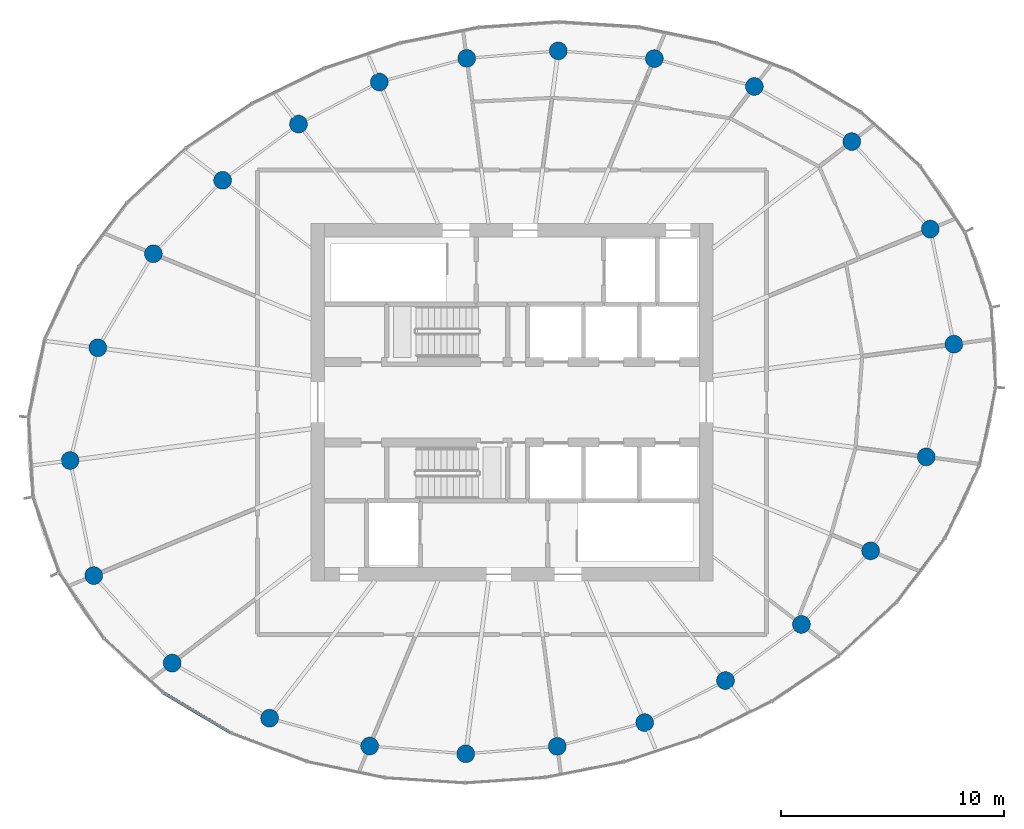
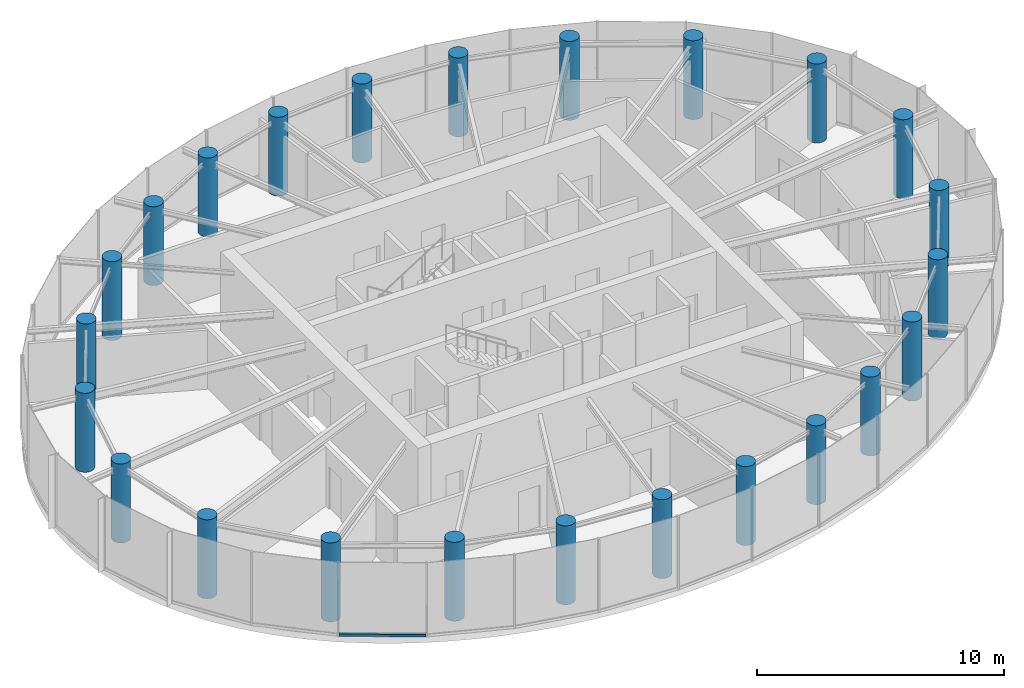
# One storey, part 1 of 13: 24 columns, 1 member, 1 element without a shape of its own.
"""IFC4 building model written with IfcOpenShell, lengths in metres."""

from ifc_helpers import new_model, si_unit, direction, frame, origin, origin_2d, place, context, subcontext, project, spatial, rectangle, circle, extrude, source, transform, mapped, material, layer, layer_set, material_profile, profile_set, type_object, element, aggregate, save


model = new_model("IFC4")

# Units and contexts
model_context = context("Model", 3, precision=1e-05, world=origin(), true_north=direction((0.0, 1.0)))
body_context = subcontext(model_context, "Body", "Model", "MODEL_VIEW")
ifc_project = project(units=[si_unit("LENGTHUNIT", "METRE"), si_unit("AREAUNIT", "SQUARE_METRE"), si_unit("VOLUMEUNIT", "CUBIC_METRE"), si_unit("PLANEANGLEUNIT", "RADIAN"), si_unit("MASSUNIT", "GRAM", prefix="KILO")], contexts=[model_context])

# Site, building, storey
site_placement = place(None, origin())
site = spatial("IfcSite", under=ifc_project, at=site_placement, CompositionType="ELEMENT")
building_placement = place(site_placement, origin())
building = spatial("IfcBuilding", under=site, at=building_placement, Name="Spindrift Exchange Tower", CompositionType="ELEMENT")
storey_placement = place(building_placement, frame((0.0, 0.0, 265.699951171875)))
storey = spatial("IfcBuildingStorey", under=building, at=storey_placement, Name="L65", CompositionType="ELEMENT", Elevation=265.699951171875)

# Columns
ifc_material_1 = material(Name="Concrete 40 MPa", Category="concrete")
ifc_material_profile_1 = material_profile(ifc_material_1, circle(Radius=0.39990234375, at=origin_2d()), Name="RC D800")
ifc_profile_set_1 = profile_set([ifc_material_profile_1], Name="Concrete 40 MPa")
column_type = type_object("IfcColumnType", Name="RC Perimeter Column D800 Concrete 40 MPa", PredefinedType="COLUMN", material=ifc_profile_set_1)
shared_shape_1 = source(origin(), body_context, "Body", "SweptSolid", [
    extrude(circle(Radius=0.39990234375, at=origin_2d()), origin(), (0.0, 0.0, 1.0), 3.900146484375),
])
for number, where, z_axis, x_axis, name in (
    (1, (71.77734375, 50.603759765625, 0.0), (0.0, 0.0, 1.0), (1.0, 0.0, 0.0), "Perimeter column P5-01 L65"),
    (2, (70.719482421875, 55.75390625, 0.0), (0.0, 0.0, 1.0), (1.0, 0.0, 0.0), "Perimeter column P5-02 L65"),
    (3, (67.20947265625, 59.670654296875, 0.0), (0.0, 0.0, 1.0), (1.0, 0.0, 0.0), "Perimeter column P5-03 L65"),
    (4, (62.846923828125, 62.135986328125, 0.0), (0.0, 0.0, 1.0), (1.0, 0.0, 0.0), "Perimeter column P5-04 L65"),
    (5, (58.37158203125, 63.382568359375, 0.0), (0.0, 0.0, 1.0), (1.0, 0.0, 0.0), "Perimeter column P5-05 L65"),
    (6, (54.071044921875, 63.731201171875, 0.0), (0.0, 0.0, 1.0), (1.0, 0.0, 0.0), "Perimeter column P5-06 L65"),
    (7, (49.97314453125, 63.39599609375, 0.0), (0.0, 0.0, 1.0), (1.0, 0.0, 0.0), "Perimeter column P5-07 L65"),
    (8, (46.062744140625, 62.333984375, 0.0), (0.0, 0.0, 1.0), (1.0, 0.0, 0.0), "Perimeter column P5-08 L65"),
    (9, (42.4443359375, 60.453369140625, 0.0), (0.0, 0.0, 1.0), (1.0, 0.0, 0.0), "Perimeter column P5-09 L65"),
    (10, (39.046875, 57.939208984375, 0.0), (0.0, 0.0, 1.0), (1.0, 0.0, 0.0), "Perimeter column P5-10 L65"),
    (11, (35.948486328125, 54.648681640625, 0.0), (0.0, 0.0, 1.0), (1.0, 0.0, 0.0), "Perimeter column P5-11 L65"),
    (12, (33.4599609375, 50.44091796875, 0.0), (0.0, 0.0, 1.0), (1.0, 0.0, 0.0), "Perimeter column P5-12 L65"),
    (13, (32.22265625, 45.396240234375, 0.0), (0.0, 0.0, 1.0), (1.0, 0.0, 0.0), "Perimeter column P5-13 L65"),
    (14, (33.280517578125, 40.24609375, 0.0), (0.0, 0.0, 1.0), (1.0, 0.0, 0.0), "Perimeter column P5-14 L65"),
    (15, (36.79052734375, 36.329345703125, 0.0), (0.0, 0.0, 1.0), (1.0, 0.0, 0.0), "Perimeter column P5-15 L65"),
    (16, (41.153076171875, 33.864013671875, 0.0), (0.0, 0.0, 1.0), (1.0, 0.0, 0.0), "Perimeter column P5-16 L65"),
    (17, (45.62841796875, 32.617431640625, 0.0), (0.0, 0.0, 1.0), (1.0, 0.0, 0.0), "Perimeter column P5-17 L65"),
    (18, (49.928955078125, 32.268798828125, 0.0), (0.0, 0.0, 1.0), (1.0, 0.0, 0.0), "Perimeter column P5-18 L65"),
    (19, (54.02685546875, 32.60400390625, 0.0), (0.0, 0.0, 1.0), (1.0, 0.0, 0.0), "Perimeter column P5-19 L65"),
    (20, (57.937255859375, 33.666015625, 0.0), (0.0, 0.0, 1.0), (1.0, 0.0, 0.0), "Perimeter column P5-20 L65"),
    (21, (61.5556640625, 35.546630859375, 0.0), (0.0, 0.0, 1.0), (1.0, 0.0, 0.0), "Perimeter column P5-21 L65"),
    (22, (64.953125, 38.060791015625, 0.0), (0.0, 0.0, 1.0), (1.0, 0.0, 0.0), "Perimeter column P5-22 L65"),
    (23, (68.051513671875, 41.351318359375, 0.0), (0.0, 0.0, 1.0), (1.0, 0.0, 0.0), "Perimeter column P5-23 L65"),
    (24, (70.5400390625, 45.55908203125, 0.0), (0.0, 0.0, 1.0), (1.0, 0.0, 0.0), "Perimeter column P5-24 L65"),
):
    element("IfcColumn", number, at=place(storey_placement, frame(where, z_axis=z_axis, x_axis=x_axis)), inside=storey, type_object=column_type, Name=name, PredefinedType="COLUMN", context=body_context, shape_type="MappedRepresentation", body=[
        mapped(shared_shape_1, transform((0.0, 0.0, 0.0), scale=1.0)),
    ])

# Curtain wall, member
ifc_material_2 = material(Name="Fritted laminated glass with bronze frame", Category="glass")
ifc_layer = layer(ifc_material_2, 0.159912109375)
ifc_layer_set = layer_set([ifc_layer], Name="ZONE 5 BRONZE FRITTED WALL")
curtain_wall_type = type_object("IfcCurtainWallType", Name="ZONE 5 BRONZE FRITTED WALL", PredefinedType="NOTDEFINED", material=ifc_layer_set)
curtain_wall_placement = place(storey_placement, origin())
curtain_wall = element("IfcCurtainWall", 25, at=curtain_wall_placement, inside=storey, type_object=curtain_wall_type, Name="L65 Zone 5 Bronze Fritted Wall run 4", PredefinedType="NOTDEFINED")
ifc_material_3 = material(Name="Bronze anodised aluminium", Category="aluminium")
ifc_material_profile_2 = material_profile(ifc_material_3, rectangle(XDim=0.139892578125, YDim=0.1201171875, at=origin_2d()), Name="ZONE 5 BRONZE FRITTED WALL TRANSOM 140X120")
ifc_profile_set_2 = profile_set([ifc_material_profile_2], Name="Bronze anodised aluminium")
member_type = type_object("IfcMemberType", Name="ZONE 5 BRONZE FRITTED WALL TRANSOM 140X120", PredefinedType="USERDEFINED", material=ifc_profile_set_2)
shared_shape_2 = source(origin(), body_context, "Body", "SweptSolid", [
    extrude(rectangle(XDim=0.139892578125, YDim=0.1201171875, at=origin_2d()), origin(), (0.0, 0.0, 1.0), 3.523681640625),
])
member_placement = place(storey_placement, frame((36.40771484375, 34.993896484375, 0.06005859375), z_axis=(0.860280278515, -0.509821382838, 0.0), x_axis=(0.509821382838, 0.860280278515, 0.0)))
member = element("IfcMember", 26, at=member_placement, type_object=member_type, Name="L65 transom CW-5.21", ObjectType="TRANSOM", PredefinedType="USERDEFINED", context=body_context, shape_type="MappedRepresentation", body=[
    mapped(shared_shape_2, transform((0.0, 0.0, 0.0), scale=1.0)),
])
aggregate(curtain_wall, [member])

save(model, "model.ifc")
